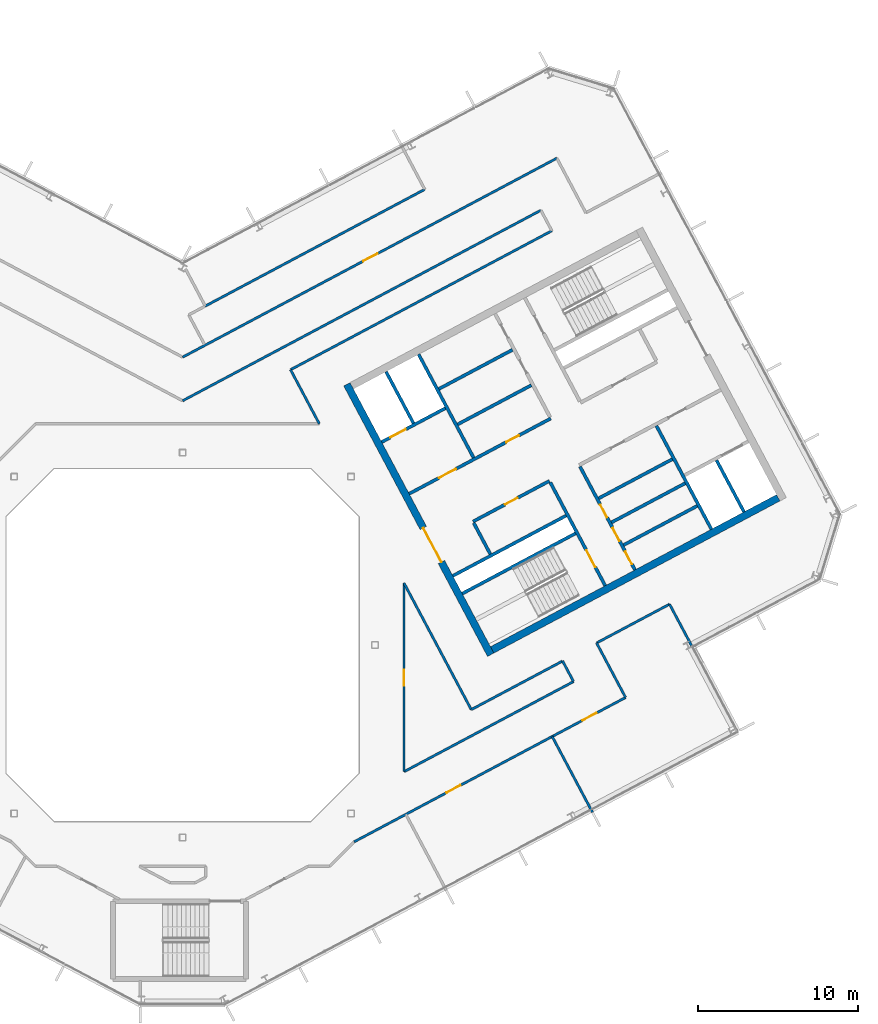
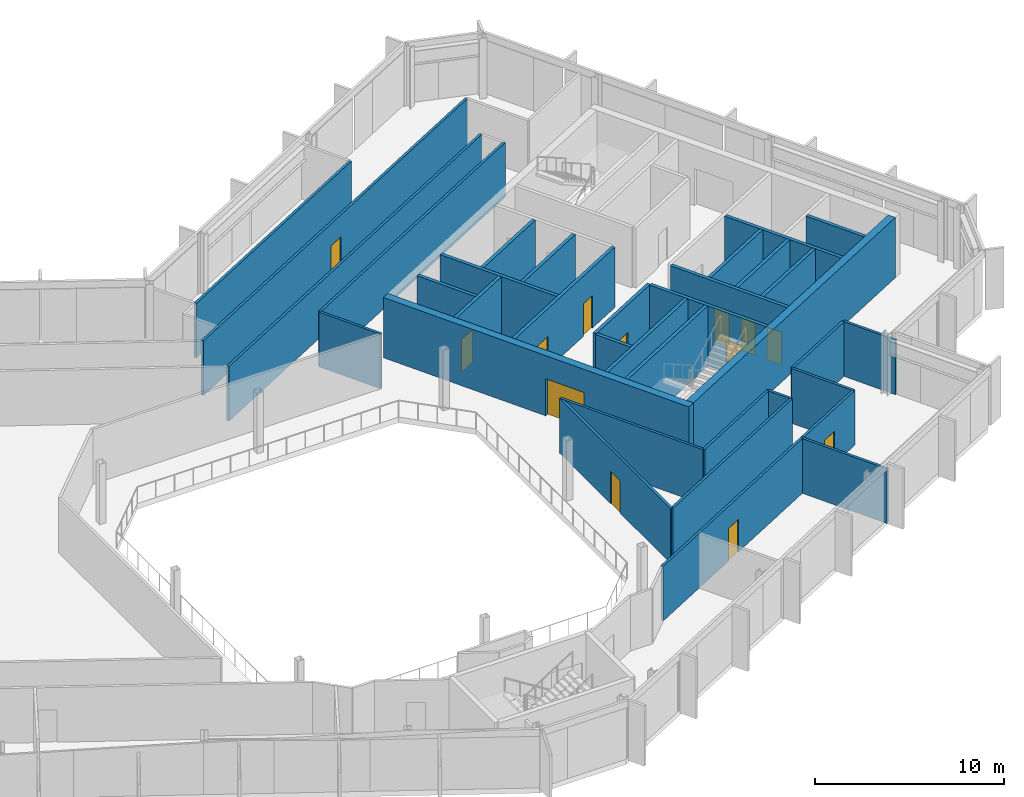
# One storey, part 16 of 26: 35 walls, 13 doors, 13 openings.
"""IFC4 building model written with IfcOpenShell, lengths in metres."""

import ifcopenshell
import ifcopenshell.guid

model = None  # the IFC model being written
_history = None  # IfcOwnerHistory: only IFC2X3 demands one
_inside = {}  # id of a spatial element -> (the spatial element, [elements in it])
_under = {}  # id of a project, library or spatial element -> (it, [spatial elements below it])
_declared = {}  # id of a project -> (the project, [libraries it declares])
_typed = {}  # id of a type object -> (the type object, [elements of that type])
_made_of = {}  # id of a material, layer set ... -> (it, [elements and type objects made of it])


def new_model(schema):
    """Start an empty IFC model of exactly this schema.

    Asked for "IFC4X3", IfcOpenShell would pick the latest addendum, in which some entities
    have other attributes; the version numbers below select the first issue.
    IFC2X3 requires an IfcOwnerHistory on every rooted entity: one is made here for all.
    """
    global model, _history
    if schema == "IFC4X3":
        model = ifcopenshell.file(schema_version=(4, 3, 0, 0))
    else:
        model = ifcopenshell.file(schema=schema)
    _inside.clear()
    _under.clear()
    _declared.clear()
    _typed.clear()
    _made_of.clear()
    _history = None
    if model.schema == "IFC2X3":
        org = make("IfcOrganization", Name="unknown")
        user = make(
            "IfcPersonAndOrganization",
            ThePerson=make("IfcPerson", FamilyName="unknown"),
            TheOrganization=org,
        )
        app = make(
            "IfcApplication",
            ApplicationDeveloper=org,
            Version="unknown",
            ApplicationFullName="unknown",
            ApplicationIdentifier="unknown",
        )
        _history = make(
            "IfcOwnerHistory",
            OwningUser=user,
            OwningApplication=app,
            ChangeAction="ADDED",
            CreationDate=0,
        )
    return model


def make(cls, **values):
    """One entity of the class cls with the attributes given. An attribute that is None is left unset."""
    return model.create_entity(
        cls, **{name: value for name, value in values.items() if value is not None}
    )


def rooted(cls, **values):
    """An entity with a GlobalId (a new one), such as an element, a storey or a relation."""
    return make(cls, GlobalId=ifcopenshell.guid.new(), OwnerHistory=_history, **values)


def si_unit(unit_type, name, prefix=None):
    """IfcSIUnit, for example si_unit("LENGTHUNIT", "METRE", prefix="MILLI")."""
    return make("IfcSIUnit", UnitType=unit_type, Prefix=prefix, Name=name)


def assignment(units):
    """IfcUnitAssignment: the units of a project."""
    return None if units is None else make("IfcUnitAssignment", Units=units)


def point(xyz):
    """IfcCartesianPoint."""
    return None if xyz is None else make("IfcCartesianPoint", Coordinates=xyz)


def direction(xyz):
    """IfcDirection."""
    return None if xyz is None else make("IfcDirection", DirectionRatios=xyz)


def frame(location, z_axis=None, x_axis=None):
    """IfcAxis2Placement3D, a coordinate frame: its origin and axes. An axis left out is left unset."""
    return make(
        "IfcAxis2Placement3D",
        Location=point(location),
        Axis=direction(z_axis),
        RefDirection=direction(x_axis),
    )


def frame_2d(location, x_axis=None):
    """IfcAxis2Placement2D, a coordinate frame in the plane: its origin and x axis."""
    return make(
        "IfcAxis2Placement2D", Location=point(location), RefDirection=direction(x_axis)
    )


def origin():
    """The frame at (0, 0, 0) with its axes left unset."""
    return frame((0.0, 0.0, 0.0))


def place(relative_to, where):
    """IfcLocalPlacement: puts the frame where relative to a parent placement (None: the world)."""
    return make(
        "IfcLocalPlacement", PlacementRelTo=relative_to, RelativePlacement=where
    )


def context(
    kind, dimensions, precision=None, world=None, true_north=None, identifier=None
):
    """IfcGeometricRepresentationContext, for example the 3D "Model" context."""
    return make(
        "IfcGeometricRepresentationContext",
        ContextIdentifier=identifier,
        ContextType=kind,
        CoordinateSpaceDimension=dimensions,
        Precision=precision,
        WorldCoordinateSystem=world,
        TrueNorth=true_north,
    )


def subcontext(parent, identifier, kind, view, scale=None):
    """IfcGeometricRepresentationSubContext, for example "Body" below "Model"."""
    return make(
        "IfcGeometricRepresentationSubContext",
        ContextIdentifier=identifier,
        ContextType=kind,
        ParentContext=parent,
        TargetScale=scale,
        TargetView=view,
    )


def project(units=None, contexts=None):
    """IfcProject with its units and contexts."""
    return rooted(
        "IfcProject",
        Name="project",
        RepresentationContexts=contexts,
        UnitsInContext=assignment(units),
    )


def spatial(cls, under=None, at=None, **own):
    """A site, building, storey or space (cls), placed at a placement, below another one or the project."""
    s = rooted(cls, ObjectPlacement=at, **own)
    if under is not None:
        _under.setdefault(under.id(), (under, []))[1].append(s)
    return s


def profile(cls, at=None, kind="AREA", **sizes):
    """A parametric profile (cls). Its sizes go by their IFC names, for example OverallWidth=200.0."""
    return make(cls, ProfileType=kind, Position=at, **sizes)


def rectangle(**sizes):
    """IfcRectangleProfileDef."""
    return profile("IfcRectangleProfileDef", **sizes)


def extrude(swept, where, along, depth):
    """IfcExtrudedAreaSolid: the profile swept, set in the frame where, extruded along a direction by depth."""
    return make(
        "IfcExtrudedAreaSolid",
        SweptArea=swept,
        Position=where,
        ExtrudedDirection=direction(along),
        Depth=depth,
    )


def shape(context_of_items, identifier, shape_type, items):
    """IfcShapeRepresentation: the items that make up one representation, for example the "Body"."""
    return make(
        "IfcShapeRepresentation",
        ContextOfItems=context_of_items,
        RepresentationIdentifier=identifier,
        RepresentationType=shape_type,
        Items=items,
    )


def material(Name=None, Category=None):
    """IfcMaterial."""
    return make("IfcMaterial", Name=Name, Category=Category)


def layer(
    of_material, thickness, ventilated=None, Name=None, Category=None, Priority=None
):
    """IfcMaterialLayer: one layer of a wall or slab, of a material (None: an air gap)."""
    return make(
        "IfcMaterialLayer",
        Material=of_material,
        LayerThickness=thickness,
        IsVentilated=ventilated,
        Name=Name,
        Category=Category,
        Priority=Priority,
    )


def layer_set(layers, Name=None):
    """IfcMaterialLayerSet."""
    return make("IfcMaterialLayerSet", MaterialLayers=layers, LayerSetName=Name)


def made_of(thing, what):
    """Note that an element or type object is made of a material, layer set ...; save() writes the relation."""
    if what is not None:
        _made_of.setdefault(what.id(), (what, []))[1].append(thing)
    return thing


def type_object(cls, material=None, **own):
    """A type object (cls), such as IfcWallType, which elements share."""
    return made_of(rooted(cls, **own), material)


def element(
    cls,
    number,
    at=None,
    inside=None,
    cuts=None,
    type_object=None,
    material=None,
    context=None,
    identifier="Body",
    shape_type=None,
    held_by="IfcProductDefinitionShape",
    body=None,
    shapes=None,
    **own,
):
    """One element of the class cls, such as IfcWall. Its Tag is "e" and its number.

    at: its placement. inside: the storey or other place that contains it. cuts: it is an
    opening in that element (IfcRelVoidsElement). A single representation is given by context,
    identifier, shape_type and body (its items); several are given by shapes. held_by: the class
    of the entity that holds the representations. save() writes the other relations.
    """
    e = rooted(cls, Tag="e%d" % number, ObjectPlacement=at, **own)
    if body is not None:
        shapes = [shape(context, identifier, shape_type, body)]
    if shapes is not None:
        e.Representation = make(held_by, Representations=shapes)
    if inside is not None:
        _inside.setdefault(inside.id(), (inside, []))[1].append(e)
    if cuts is not None:
        rooted(
            "IfcRelVoidsElement", RelatingBuildingElement=cuts, RelatedOpeningElement=e
        )
    if type_object is not None:
        _typed.setdefault(type_object.id(), (type_object, []))[1].append(e)
    return made_of(e, material)


def fill(opening, filler):
    """IfcRelFillsElement: the door or window that sits in an opening."""
    return rooted(
        "IfcRelFillsElement",
        RelatingOpeningElement=opening,
        RelatedBuildingElement=filler,
    )


def aggregate(whole, parts):
    """IfcRelAggregates: a whole, such as a stair, and the parts it consists of."""
    return rooted("IfcRelAggregates", RelatingObject=whole, RelatedObjects=parts)


def save(model, path):
    """Write the relations noted so far, then the file.

    IfcRelAggregates (storeys below a building ...), IfcRelContainedInSpatialStructure (elements
    in a storey), IfcRelDefinesByType, IfcRelAssociatesMaterial and IfcRelDeclares: one each for
    every whole, place, type object, material and project.
    """
    for whole, parts in _under.values():
        aggregate(whole, parts)
    for where, things in _inside.values():
        rooted(
            "IfcRelContainedInSpatialStructure",
            RelatedElements=things,
            RelatingStructure=where,
        )
    for kind, things in _typed.values():
        rooted("IfcRelDefinesByType", RelatedObjects=things, RelatingType=kind)
    for what, things in _made_of.values():
        rooted("IfcRelAssociatesMaterial", RelatedObjects=things, RelatingMaterial=what)
    for by, libraries in _declared.values():
        rooted("IfcRelDeclares", RelatingContext=by, RelatedDefinitions=libraries)
    model.write(path)


model = new_model("IFC4")

# Units and contexts
model_context = context("Model", 3, precision=1e-05, world=origin(), true_north=direction((0.0, 1.0)))
body_context = subcontext(model_context, "Body", "Model", "MODEL_VIEW")
ifc_project = project(units=[si_unit("LENGTHUNIT", "METRE"), si_unit("AREAUNIT", "SQUARE_METRE"), si_unit("VOLUMEUNIT", "CUBIC_METRE"), si_unit("PLANEANGLEUNIT", "RADIAN"), si_unit("MASSUNIT", "GRAM", prefix="KILO")], contexts=[model_context])

# Site, building, storey
site_placement = place(None, origin())
site = spatial("IfcSite", under=ifc_project, at=site_placement, CompositionType="ELEMENT")
building_placement = place(site_placement, origin())
building = spatial("IfcBuilding", under=site, at=building_placement, Name="Cormorant Relay Tower", CompositionType="ELEMENT")
storey_placement = place(building_placement, frame((0.0, 0.0, 312.60009765625)))
storey = spatial("IfcBuildingStorey", under=building, at=storey_placement, Name="L71", CompositionType="ELEMENT", Elevation=312.60009765625)

# Walls
ifc_material_1 = material(Name="Concrete 40 MPa", Category="concrete")
ifc_layer_1 = layer(ifc_material_1, 0.199951171875)
ifc_layer_set_1 = layer_set([ifc_layer_1], Name="Core internal wall 200")
wall_type_1 = type_object("IfcWallType", Name="Core internal wall 200", PredefinedType="SOLIDWALL", material=ifc_layer_set_1)
for number, where, z_axis, x_axis, name in (
    (1, (27.490234375, 6.23583984375, 0.0), (0.0, 0.0, 1.0), (0.882953967957, 0.469459572775, 0.0), "L71 core B shaft and room wall"),
    (2, (26.739013671875, 7.6484375, 0.0), (0.0, 0.0, 1.0), (0.882934506056, 0.469496174655, 0.0), "L71 core B shaft and room wall"),
    (3, (15.97314453125, 15.968017578125, 0.0), (0.0, 0.0, 1.0), (0.882953967957, 0.469459572775, 0.0), "L71 core B shaft and room wall"),
):
    element("IfcWall", number, at=place(storey_placement, frame(where, z_axis=z_axis, x_axis=x_axis)), inside=storey, type_object=wall_type_1, Name=name, PredefinedType="SOLIDWALL", context=body_context, shape_type="SweptSolid", body=[
        extrude(rectangle(XDim=5.199951171875, YDim=0.199951171875, at=frame_2d((2.60009765625, 0.0))), origin(), (0.0, 0.0, 1.0), 3.89990234375),
    ])
ifc_material_2 = material(Name="Concrete 50 MPa", Category="concrete")
ifc_layer_2 = layer(ifc_material_2, 0.199951171875)
ifc_layer_set_2 = layer_set([ifc_layer_2], Name="Core shaft wall 200")
wall_type_2 = type_object("IfcWallType", Name="Core shaft wall 200", PredefinedType="SHEAR", material=ifc_layer_set_2)
wall_1_placement = place(storey_placement, frame((14.39404296875, 13.825927734375, 0.0), z_axis=(0.0, 0.0, 1.0), x_axis=(-0.469494272526, 0.882935517501, 0.0)))
element("IfcWall", 4, at=wall_1_placement, inside=storey, type_object=wall_type_2, Name="L71 core B shaft wall", PredefinedType="SHEAR", context=body_context, shape_type="SweptSolid", body=[
    extrude(rectangle(XDim=3.64990234375, YDim=0.199951171875, at=frame_2d((1.824951171875, 0.0))), origin(), (0.0, 0.0, 1.0), 3.89990234375),
])
wall_2_placement = place(storey_placement, frame((19.18359375, 5.669921875, 0.0), z_axis=(0.0, 0.0, 1.0), x_axis=(-0.4694473164, 0.882960484464, 0.0)))
element("IfcWall", 5, at=wall_2_placement, inside=storey, type_object=wall_type_2, Name="L71 core B shaft wall", PredefinedType="SHEAR", context=body_context, shape_type="SweptSolid", body=[
    extrude(rectangle(XDim=2.199951171875, YDim=0.199951171875, at=frame_2d((1.10009765625, 0.0))), origin(), (0.0, 0.0, 1.0), 3.89990234375),
])
wall_3_placement = place(storey_placement, frame((18.138427734375, 11.682861328125, 0.0), z_axis=(0.0, 0.0, 1.0), x_axis=(-0.469480409012, 0.88294288918, 0.0)))
element("IfcWall", 6, at=wall_3_placement, inside=storey, type_object=wall_type_2, Name="L71 core B shaft wall", PredefinedType="SHEAR", context=body_context, shape_type="SweptSolid", body=[
    extrude(rectangle(XDim=7.300048828125, YDim=0.199951171875, at=frame_2d((3.64990234375, 0.0))), origin(), (0.0, 0.0, 1.0), 3.89990234375),
])

# Wall, opening, door
wall_4_placement = place(storey_placement, frame((26.345947265625, 3.701904296875, 0.0), z_axis=(0.0, 0.0, 1.0), x_axis=(-0.469480409012, 0.88294288918, 0.0)))
wall_4 = element("IfcWall", 7, at=wall_4_placement, inside=storey, type_object=wall_type_2, Name="L71 core B shaft wall", PredefinedType="SHEAR", context=body_context, shape_type="SweptSolid", body=[
    extrude(rectangle(XDim=7.300048828125, YDim=0.199951171875, at=frame_2d((3.64990234375, 0.0))), origin(), (0.0, 0.0, 1.0), 3.89990234375),
])
opening_1_placement = place(wall_4_placement, frame((1.300048828125, 0.0, 0.0)))
opening_1 = element("IfcOpeningElement", 8, at=opening_1_placement, cuts=wall_4, Name="Opening CDB-040", PredefinedType="OPENING", context=body_context, shape_type="SweptSolid", body=[
    extrude(rectangle(XDim=1.199951171875, YDim=2.10009765625, at=frame_2d((0.60009765625, 1.050048828125))), frame((0.0, 0.10986328125, 0.0), z_axis=(0.0, -1.0, 0.0), x_axis=(1.0, 0.0, 0.0)), (0.0, 0.0, 1.0), 0.219970703125),
])
ifc_material_3 = material(Name="Steel fire door", Category="steel")
door_type_1 = type_object("IfcDoorType", Name="Core stair door 1200x2100", OperationType="SINGLE_SWING_LEFT", PredefinedType="DOOR", material=ifc_material_3)
door_1_placement = place(opening_1_placement, origin())
door_1 = element("IfcDoor", 9, at=door_1_placement, inside=storey, type_object=door_type_1, Name="Core stair door 1200x2100", OperationType="SINGLE_SWING_RIGHT", OverallHeight=2.10009765625, OverallWidth=1.199951171875, PredefinedType="DOOR", context=body_context, shape_type="SweptSolid", body=[
    extrude(rectangle(XDim=1.199951171875, YDim=2.10009765625, at=frame_2d((0.60009765625, 1.050048828125))), frame((0.0, 0.02490234375, 0.0), z_axis=(0.0, -1.0, 0.0), x_axis=(1.0, 0.0, 0.0)), (0.0, 0.0, 1.0), 0.050048828125),
])
fill(opening_1, door_1)

# Wall, openings, doors
wall_5_placement = place(storey_placement, frame((28.199951171875, 4.687744140625, 0.0), z_axis=(0.0, 0.0, 1.0), x_axis=(-0.469454336211, 0.882956752176, 0.0)))
wall_5 = element("IfcWall", 10, at=wall_5_placement, inside=storey, type_object=wall_type_2, Name="L71 core B shaft wall", PredefinedType="SHEAR", context=body_context, shape_type="SweptSolid", body=[
    extrude(rectangle(XDim=7.300048828125, YDim=0.199951171875, at=frame_2d((3.64990234375, 0.0))), origin(), (0.0, 0.0, 1.0), 3.89990234375),
])
opening_2_placement = place(wall_5_placement, frame((0.39990234375, 0.0, 0.0)))
opening_2 = element("IfcOpeningElement", 11, at=opening_2_placement, cuts=wall_5, Name="Opening CDD-343", PredefinedType="OPENING", context=body_context, shape_type="SweptSolid", body=[
    extrude(rectangle(XDim=0.89990234375, YDim=2.10009765625, at=frame_2d((0.449951171875, 1.050048828125))), frame((0.0, 0.10986328125, 0.0), z_axis=(0.0, -1.0, 0.0), x_axis=(1.0, 0.0, 0.0)), (0.0, 0.0, 1.0), 0.219970703125),
])
opening_3_placement = place(wall_5_placement, frame((2.050048828125, 0.0, 0.0)))
opening_3 = element("IfcOpeningElement", 12, at=opening_3_placement, cuts=wall_5, Name="Opening CDD-317", PredefinedType="OPENING", context=body_context, shape_type="SweptSolid", body=[
    extrude(rectangle(XDim=0.89990234375, YDim=2.10009765625, at=frame_2d((0.449951171875, 1.050048828125))), frame((0.0, 0.10986328125, 0.0), z_axis=(0.0, -1.0, 0.0), x_axis=(1.0, 0.0, 0.0)), (0.0, 0.0, 1.0), 0.219970703125),
])
opening_4_placement = place(wall_5_placement, frame((3.699951171875, 0.0, 0.0)))
opening_4 = element("IfcOpeningElement", 13, at=opening_4_placement, cuts=wall_5, Name="Opening CDD-336", PredefinedType="OPENING", context=body_context, shape_type="SweptSolid", body=[
    extrude(rectangle(XDim=0.89990234375, YDim=2.10009765625, at=frame_2d((0.449951171875, 1.050048828125))), frame((0.0, 0.10986328125, 0.0), z_axis=(0.0, -1.0, 0.0), x_axis=(1.0, 0.0, 0.0)), (0.0, 0.0, 1.0), 0.219970703125),
])
ifc_material_4 = material(Name="Steel fire door", Category="steel")
door_type_2 = type_object("IfcDoorType", Name="Core room door 900x2100", OperationType="SINGLE_SWING_LEFT", PredefinedType="DOOR", material=ifc_material_4)
door_2_placement = place(opening_2_placement, frame((0.89990234375, 0.0, 0.0), z_axis=(0.0, 0.0, 1.0), x_axis=(-1.0, 0.0, 0.0)))
door_2 = element("IfcDoor", 14, at=door_2_placement, inside=storey, type_object=door_type_2, Name="Core room door 900x2100", OperationType="SINGLE_SWING_LEFT", OverallHeight=2.10009765625, OverallWidth=0.89990234375, PredefinedType="DOOR", context=body_context, shape_type="SweptSolid", body=[
    extrude(rectangle(XDim=0.89990234375, YDim=2.10009765625, at=frame_2d((0.449951171875, 1.050048828125))), frame((0.0, 0.02490234375, 0.0), z_axis=(0.0, -1.0, 0.0), x_axis=(1.0, 0.0, 0.0)), (0.0, 0.0, 1.0), 0.050048828125),
])
fill(opening_2, door_2)
door_3_placement = place(opening_3_placement, frame((0.89990234375, 0.0, 0.0), z_axis=(0.0, 0.0, 1.0), x_axis=(-1.0, 0.0, 0.0)))
door_3 = element("IfcDoor", 15, at=door_3_placement, inside=storey, type_object=door_type_2, Name="Core room door 900x2100", OperationType="SINGLE_SWING_LEFT", OverallHeight=2.10009765625, OverallWidth=0.89990234375, PredefinedType="DOOR", context=body_context, shape_type="SweptSolid", body=[
    extrude(rectangle(XDim=0.89990234375, YDim=2.10009765625, at=frame_2d((0.449951171875, 1.050048828125))), frame((0.0, 0.02490234375, 0.0), z_axis=(0.0, -1.0, 0.0), x_axis=(1.0, 0.0, 0.0)), (0.0, 0.0, 1.0), 0.050048828125),
])
fill(opening_3, door_3)
door_4_placement = place(opening_4_placement, frame((0.89990234375, 0.0, 0.0), z_axis=(0.0, 0.0, 1.0), x_axis=(-1.0, 0.0, 0.0)))
door_4 = element("IfcDoor", 16, at=door_4_placement, inside=storey, type_object=door_type_2, Name="Core room door 900x2100", OperationType="SINGLE_SWING_LEFT", OverallHeight=2.10009765625, OverallWidth=0.89990234375, PredefinedType="DOOR", context=body_context, shape_type="SweptSolid", body=[
    extrude(rectangle(XDim=0.89990234375, YDim=2.10009765625, at=frame_2d((0.449951171875, 1.050048828125))), frame((0.0, 0.02490234375, 0.0), z_axis=(0.0, -1.0, 0.0), x_axis=(1.0, 0.0, 0.0)), (0.0, 0.0, 1.0), 0.050048828125),
])
fill(opening_4, door_4)

# Walls
wall_6_placement = place(storey_placement, frame((32.968017578125, 7.222900390625, 0.0), z_axis=(0.0, 0.0, 1.0), x_axis=(-0.469480409012, 0.88294288918, 0.0)))
element("IfcWall", 17, at=wall_6_placement, inside=storey, type_object=wall_type_2, Name="L71 core B shaft wall", PredefinedType="SHEAR", context=body_context, shape_type="SweptSolid", body=[
    extrude(rectangle(XDim=7.300048828125, YDim=0.199951171875, at=frame_2d((3.64990234375, 0.0))), origin(), (0.0, 0.0, 1.0), 3.89990234375),
])
wall_7_placement = place(storey_placement, frame((34.998779296875, 8.302734375, 0.0), z_axis=(0.0, 0.0, 1.0), x_axis=(-0.4694665462, 0.882950260207, 0.0)))
element("IfcWall", 18, at=wall_7_placement, inside=storey, type_object=wall_type_2, Name="L71 core B shaft wall", PredefinedType="SHEAR", context=body_context, shape_type="SweptSolid", body=[
    extrude(rectangle(XDim=3.650146484375, YDim=0.199951171875, at=frame_2d((1.8251953125, 0.0))), origin(), (0.0, 0.0, 1.0), 3.89990234375),
])
for number, where, z_axis, x_axis, name in (
    (19, (17.43359375, 3.210205078125, 0.0), (0.0, 0.0, 1.0), (0.882940221191, 0.469485426614, 0.0), "L71 core B shaft wall"),
    (20, (16.8466796875, 4.31396484375, 0.0), (0.0, 0.0, 1.0), (0.882940221191, 0.469485426614, 0.0), "L71 core B shaft wall"),
):
    element("IfcWall", number, at=place(storey_placement, frame(where, z_axis=z_axis, x_axis=x_axis)), inside=storey, type_object=wall_type_2, Name=name, PredefinedType="SHEAR", context=body_context, shape_type="SweptSolid", body=[
        extrude(rectangle(XDim=8.0, YDim=0.199951171875, at=frame_2d((4.0, 0.0))), origin(), (0.0, 0.0, 1.0), 3.89990234375),
    ])
wall_8_placement = place(storey_placement, frame((25.94091796875, 9.149658203125, 0.0), z_axis=(0.0, 0.0, 1.0), x_axis=(0.882953967957, 0.469459572775, 0.0)))
element("IfcWall", 21, at=wall_8_placement, inside=storey, type_object=wall_type_2, Name="L71 core B shaft wall", PredefinedType="SHEAR", context=body_context, shape_type="SweptSolid", body=[
    extrude(rectangle(XDim=5.199951171875, YDim=0.199951171875, at=frame_2d((2.60009765625, 0.0))), origin(), (0.0, 0.0, 1.0), 3.89990234375),
])

# Wall, opening, door
wall_9_placement = place(storey_placement, frame((18.103759765625, 7.70068359375, 0.0), z_axis=(0.0, 0.0, 1.0), x_axis=(0.882952937579, 0.469461510692, 0.0)))
wall_9 = element("IfcWall", 22, at=wall_9_placement, inside=storey, type_object=wall_type_2, Name="L71 core B shaft wall", PredefinedType="SHEAR", context=body_context, shape_type="SweptSolid", body=[
    extrude(rectangle(XDim=5.400146484375, YDim=0.199951171875, at=frame_2d((2.7001953125, 0.0))), origin(), (0.0, 0.0, 1.0), 3.89990234375),
])
opening_5_placement = place(wall_9_placement, frame((2.25, 0.0, 0.0)))
opening_5 = element("IfcOpeningElement", 23, at=opening_5_placement, cuts=wall_9, Name="Opening CDD-262", PredefinedType="OPENING", context=body_context, shape_type="SweptSolid", body=[
    extrude(rectangle(XDim=0.89990234375, YDim=2.10009765625, at=frame_2d((0.449951171875, 1.050048828125))), frame((0.0, 0.10986328125, 0.0), z_axis=(0.0, -1.0, 0.0), x_axis=(1.0, 0.0, 0.0)), (0.0, 0.0, 1.0), 0.219970703125),
])
door_5_placement = place(opening_5_placement, frame((0.89990234375, 0.0, 0.0), z_axis=(0.0, 0.0, 1.0), x_axis=(-1.0, 0.0, 0.0)))
door_5 = element("IfcDoor", 24, at=door_5_placement, inside=storey, type_object=door_type_2, Name="Core room door 900x2100", OperationType="SINGLE_SWING_RIGHT", OverallHeight=2.10009765625, OverallWidth=0.89990234375, PredefinedType="DOOR", context=body_context, shape_type="SweptSolid", body=[
    extrude(rectangle(XDim=0.89990234375, YDim=2.10009765625, at=frame_2d((0.449951171875, 1.050048828125))), frame((0.0, 0.02490234375, 0.0), z_axis=(0.0, -1.0, 0.0), x_axis=(1.0, 0.0, 0.0)), (0.0, 0.0, 1.0), 0.050048828125),
])
fill(opening_5, door_5)

# Wall, openings, doors
wall_10_placement = place(storey_placement, frame((14.123779296875, 9.43505859375, 0.0), z_axis=(0.0, 0.0, 1.0), x_axis=(0.882940221191, 0.469485426614, 0.0)))
wall_10 = element("IfcWall", 25, at=wall_10_placement, inside=storey, type_object=wall_type_2, Name="L71 core B shaft wall", PredefinedType="SHEAR", context=body_context, shape_type="SweptSolid", body=[
    extrude(rectangle(XDim=10.0, YDim=0.199951171875, at=frame_2d((5.0, 0.0))), origin(), (0.0, 0.0, 1.0), 3.89990234375),
])
opening_6_placement = place(wall_10_placement, frame((2.10009765625, 0.0, 0.0)))
opening_6 = element("IfcOpeningElement", 26, at=opening_6_placement, cuts=wall_10, Name="Opening CDC-037", PredefinedType="OPENING", context=body_context, shape_type="SweptSolid", body=[
    extrude(rectangle(XDim=1.199951171875, YDim=2.10009765625, at=frame_2d((0.60009765625, 1.050048828125))), frame((0.0, 0.10986328125, 0.0), z_axis=(0.0, -1.0, 0.0), x_axis=(1.0, 0.0, 0.0)), (0.0, 0.0, 1.0), 0.219970703125),
])
opening_7_placement = place(wall_10_placement, frame((6.85009765625, 0.0, 0.0)))
opening_7 = element("IfcOpeningElement", 27, at=opening_7_placement, cuts=wall_10, Name="Opening CDD-260", PredefinedType="OPENING", context=body_context, shape_type="SweptSolid", body=[
    extrude(rectangle(XDim=0.89990234375, YDim=2.10009765625, at=frame_2d((0.449951171875, 1.050048828125))), frame((0.0, 0.10986328125, 0.0), z_axis=(0.0, -1.0, 0.0), x_axis=(1.0, 0.0, 0.0)), (0.0, 0.0, 1.0), 0.219970703125),
])
ifc_material_5 = material(Name="Steel fire door", Category="steel")
door_type_3 = type_object("IfcDoorType", Name="Core lobby door 1200x2100", OperationType="SINGLE_SWING_LEFT", PredefinedType="DOOR", material=ifc_material_5)
door_6_placement = place(opening_6_placement, origin())
door_6 = element("IfcDoor", 28, at=door_6_placement, inside=storey, type_object=door_type_3, Name="Core lobby door 1200x2100", OperationType="SINGLE_SWING_RIGHT", OverallHeight=2.10009765625, OverallWidth=1.199951171875, PredefinedType="DOOR", context=body_context, shape_type="SweptSolid", body=[
    extrude(rectangle(XDim=1.199951171875, YDim=2.10009765625, at=frame_2d((0.60009765625, 1.050048828125))), frame((0.0, 0.02490234375, 0.0), z_axis=(0.0, -1.0, 0.0), x_axis=(1.0, 0.0, 0.0)), (0.0, 0.0, 1.0), 0.050048828125),
])
fill(opening_6, door_6)
door_7_placement = place(opening_7_placement, origin())
door_7 = element("IfcDoor", 29, at=door_7_placement, inside=storey, type_object=door_type_2, Name="Core room door 900x2100", OperationType="SINGLE_SWING_LEFT", OverallHeight=2.10009765625, OverallWidth=0.89990234375, PredefinedType="DOOR", context=body_context, shape_type="SweptSolid", body=[
    extrude(rectangle(XDim=0.89990234375, YDim=2.10009765625, at=frame_2d((0.449951171875, 1.050048828125))), frame((0.0, 0.02490234375, 0.0), z_axis=(0.0, -1.0, 0.0), x_axis=(1.0, 0.0, 0.0)), (0.0, 0.0, 1.0), 0.050048828125),
])
fill(opening_7, door_7)

# Wall
wall_11_placement = place(storey_placement, frame((17.146728515625, 13.7607421875, 0.0), z_axis=(0.0, 0.0, 1.0), x_axis=(0.882964314875, 0.469440111896, 0.0)))
element("IfcWall", 30, at=wall_11_placement, inside=storey, type_object=wall_type_2, Name="L71 core B shaft wall", PredefinedType="SHEAR", context=body_context, shape_type="SweptSolid", body=[
    extrude(rectangle(XDim=5.2001953125, YDim=0.199951171875, at=frame_2d((2.60009765625, 0.0))), origin(), (0.0, 0.0, 1.0), 3.89990234375),
])

# Wall, opening, door
wall_12_placement = place(storey_placement, frame((12.41015625, 12.657958984375, 0.0), z_axis=(0.0, 0.0, 1.0), x_axis=(0.8829484765, 0.469469900894, 0.0)))
wall_12 = element("IfcWall", 31, at=wall_12_placement, inside=storey, type_object=wall_type_2, Name="L71 core B shaft wall", PredefinedType="SHEAR", context=body_context, shape_type="SweptSolid", body=[
    extrude(rectangle(XDim=4.499755859375, YDim=0.199951171875, at=frame_2d((2.25, 0.0))), origin(), (0.0, 0.0, 1.0), 3.89990234375),
])
opening_8_placement = place(wall_12_placement, frame((0.60009765625, 0.0, 0.0)))
opening_8 = element("IfcOpeningElement", 32, at=opening_8_placement, cuts=wall_12, Name="Opening LD1-064", PredefinedType="OPENING", context=body_context, shape_type="SweptSolid", body=[
    extrude(rectangle(XDim=1.10009765625, YDim=2.10009765625, at=frame_2d((0.550048828125, 1.050048828125))), frame((0.0, 0.10986328125, 0.0), z_axis=(0.0, -1.0, 0.0), x_axis=(1.0, 0.0, 0.0)), (0.0, 0.0, 1.0), 0.219970703125),
])
ifc_material_6 = material(Name="Stainless steel 316", Category="steel")
door_type_4 = type_object("IfcDoorType", Name="Lift landing door 1100x2100", OperationType="DOUBLE_DOOR_SLIDING", PredefinedType="DOOR", material=ifc_material_6)
door_8_placement = place(opening_8_placement, origin())
door_8 = element("IfcDoor", 33, at=door_8_placement, inside=storey, type_object=door_type_4, Name="FF2 landing door", OperationType="DOUBLE_DOOR_SLIDING", OverallHeight=2.10009765625, OverallWidth=1.10009765625, PredefinedType="DOOR", context=body_context, shape_type="SweptSolid", body=[
    extrude(rectangle(XDim=1.10009765625, YDim=2.10009765625, at=frame_2d((0.550048828125, 1.050048828125))), frame((0.0, 0.02490234375, 0.0), z_axis=(0.0, -1.0, 0.0), x_axis=(1.0, 0.0, 0.0)), (0.0, 0.0, 1.0), 0.050048828125),
])
fill(opening_8, door_8)

ifc_material_7 = material(Name="Concrete 50 MPa", Category="concrete")
ifc_layer_3 = layer(ifc_material_7, 0.449951171875)
ifc_layer_set_3 = layer_set([ifc_layer_3], Name="Core wall 450")
wall_type_3 = type_object("IfcWallType", Name="Core wall 450", PredefinedType="SHEAR", material=ifc_layer_set_3)
wall_13_placement = place(storey_placement, frame((19.20654296875, -0.603759765625, 0.0), z_axis=(0.0, 0.0, 1.0), x_axis=(-0.469467968382, 0.882949504028, 0.0)))
wall_13 = element("IfcWall", 34, at=wall_13_placement, inside=storey, type_object=wall_type_3, Name="L71 core B wall", PredefinedType="SHEAR", context=body_context, shape_type="SweptSolid", body=[
    extrude(rectangle(XDim=19.099853515625, YDim=0.449951171875, at=frame_2d((9.5498046875, 0.0))), origin(), (0.0, 0.0, 1.0), 3.89990234375),
])
opening_9_placement = place(wall_13_placement, frame((6.550048828125, 0.0, 0.0)))
opening_9 = element("IfcOpeningElement", 35, at=opening_9_placement, cuts=wall_13, Name="Opening CDA-055", PredefinedType="OPENING", context=body_context, shape_type="SweptSolid", body=[
    extrude(rectangle(XDim=2.39990234375, YDim=2.39990234375, at=frame_2d((1.199951171875, 1.199951171875))), frame((0.0, 0.23486328125, 0.0), z_axis=(0.0, -1.0, 0.0), x_axis=(1.0, 0.0, 0.0)), (0.0, 0.0, 1.0), 0.469970703125),
])
ifc_material_8 = material(Name="Steel fire door", Category="steel")
door_type_5 = type_object("IfcDoorType", Name="Core lobby door 2400x2400", OperationType="DOUBLE_DOOR_SINGLE_SWING", PredefinedType="DOOR", material=ifc_material_8)
door_9_placement = place(opening_9_placement, origin())
door_9 = element("IfcDoor", 36, at=door_9_placement, inside=storey, type_object=door_type_5, Name="Core lobby door 2400x2400", OperationType="DOUBLE_DOOR_SINGLE_SWING", OverallHeight=2.39990234375, OverallWidth=2.39990234375, PredefinedType="DOOR", context=body_context, shape_type="SweptSolid", body=[
    extrude(rectangle(XDim=2.39990234375, YDim=2.39990234375, at=frame_2d((1.199951171875, 1.199951171875))), frame((0.0, 0.02490234375, 0.0), z_axis=(0.0, -1.0, 0.0), x_axis=(1.0, 0.0, 0.0)), (0.0, 0.0, 1.0), 0.050048828125),
])
fill(opening_9, door_9)

# Walls
wall_14_placement = place(storey_placement, frame((19.299560546875, -0.29931640625, 0.0), z_axis=(0.0, 0.0, 1.0), x_axis=(0.88295276571, 0.46946183394, 0.0)))
element("IfcWall", 37, at=wall_14_placement, inside=storey, type_object=wall_type_3, Name="L71 core B wall", PredefinedType="SHEAR", context=body_context, shape_type="SweptSolid", body=[
    extrude(rectangle(XDim=20.199951171875, YDim=0.449951171875, at=frame_2d((10.10009765625, 0.0))), origin(), (0.0, 0.0, 1.0), 3.89990234375),
])
ifc_material_9 = material(Name="Gypsum board fire partition")
ifc_layer_4 = layer(ifc_material_9, 0.14990234375)
ifc_layer_set_4 = layer_set([ifc_layer_4], Name="Corridor partition 150 EI 60")
wall_type_4 = type_object("IfcWallType", Name="Corridor partition 150 EI 60", PredefinedType="PARTITIONING", material=ifc_layer_set_4)
wall_15_placement = place(storey_placement, frame((0.0, 15.23291015625, 0.0), z_axis=(0.0, 0.0, 1.0), x_axis=(0.882940229487, 0.469485411012, 0.0)))
element("IfcWall", 38, at=wall_15_placement, inside=storey, type_object=wall_type_4, Name="wall/L71/part/017", PredefinedType="PARTITIONING", context=body_context, shape_type="SweptSolid", body=[
    extrude(rectangle(XDim=25.29833984375, YDim=0.14990234375, at=frame_2d((12.649169921875, 0.0))), origin(), (0.0, 0.0, 1.0), 3.539794921875),
])
wall_16_placement = place(storey_placement, frame((23.01806640625, 25.830078125, 0.0), z_axis=(0.0, 0.0, 1.0), x_axis=(-0.882935416105, -0.469494463213, 0.0)))
element("IfcWall", 39, at=wall_16_placement, inside=storey, type_object=wall_type_4, Name="wall/L71/part/019", PredefinedType="PARTITIONING", context=body_context, shape_type="SweptSolid", body=[
    extrude(rectangle(XDim=18.449951171875, YDim=0.14990234375, at=frame_2d((9.22509765625, 0.0))), origin(), (0.0, 0.0, 1.0), 3.539794921875),
])
wall_17_placement = place(storey_placement, frame((6.72802734375, 17.16796875, 0.0), z_axis=(0.0, 0.0, 1.0), x_axis=(0.469325262013, -0.883025366813, 0.0)))
element("IfcWall", 40, at=wall_17_placement, inside=storey, type_object=wall_type_4, Name="wall/L71/part/020", PredefinedType="PARTITIONING", context=body_context, shape_type="SweptSolid", body=[
    extrude(rectangle(XDim=3.81396484375, YDim=0.14990234375, at=frame_2d((1.906982421875, 0.0))), origin(), (0.0, 0.0, 1.0), 3.539794921875),
])

# Wall, opening, door
wall_18_placement = place(storey_placement, frame((0.0, 17.950927734375, 0.0), z_axis=(0.0, 0.0, 1.0), x_axis=(0.882944349917, 0.469477661821, 0.0)))
wall_18 = element("IfcWall", 41, at=wall_18_placement, inside=storey, type_object=wall_type_4, Name="wall/L71/part/040", PredefinedType="PARTITIONING", context=body_context, shape_type="SweptSolid", body=[
    extrude(rectangle(XDim=26.423095703125, YDim=0.14990234375, at=frame_2d((13.21142578125, 0.0))), origin(), (0.0, 0.0, 1.0), 3.539794921875),
])
opening_10_placement = place(wall_18_placement, frame((12.75, 0.0, 0.0)))
opening_10 = element("IfcOpeningElement", 42, at=opening_10_placement, cuts=wall_18, Name="Opening DS-246", PredefinedType="OPENING", context=body_context, shape_type="SweptSolid", body=[
    extrude(rectangle(XDim=1.0, YDim=2.10009765625, at=frame_2d((0.5, 1.050048828125))), frame((0.0, 0.0849609375, 0.0), z_axis=(0.0, -1.0, 0.0), x_axis=(1.0, 0.0, 0.0)), (0.0, 0.0, 1.0), 0.169921875),
])
ifc_material_10 = material(Name="Timber door leaf", Category="wood")
door_type_6 = type_object("IfcDoorType", Name="Suite door 1000x2100", OperationType="SINGLE_SWING_LEFT", PredefinedType="DOOR", material=ifc_material_10)
door_10_placement = place(opening_10_placement, origin())
door_10 = element("IfcDoor", 43, at=door_10_placement, inside=storey, type_object=door_type_6, Name="door/L71/005", OperationType="SINGLE_SWING_LEFT", OverallHeight=2.10009765625, OverallWidth=1.0, PredefinedType="DOOR", context=body_context, shape_type="SweptSolid", body=[
    extrude(rectangle(XDim=1.0, YDim=2.10009765625, at=frame_2d((0.5, 1.050048828125))), frame((0.0, 0.02490234375, 0.0), z_axis=(0.0, -1.0, 0.0), x_axis=(1.0, 0.0, 0.0)), (0.0, 0.0, 1.0), 0.050048828125),
])
fill(opening_10, door_10)

wall_19_placement = place(storey_placement, frame((23.10791015625, -5.6640625, 0.0), z_axis=(0.0, 0.0, 1.0), x_axis=(-0.882952650817, -0.469462050027, 0.0)))
wall_19 = element("IfcWall", 44, at=wall_19_placement, inside=storey, type_object=wall_type_4, Name="wall/L71/part/059", PredefinedType="PARTITIONING", context=body_context, shape_type="SweptSolid", body=[
    extrude(rectangle(XDim=14.058349609375, YDim=0.14990234375, at=frame_2d((7.029296875, 0.0))), origin(), (0.0, 0.0, 1.0), 3.539794921875),
])
opening_11_placement = place(wall_19_placement, frame((6.550048828125, 0.0, 0.0)))
opening_11 = element("IfcOpeningElement", 45, at=opening_11_placement, cuts=wall_19, Name="Opening DS-244", PredefinedType="OPENING", context=body_context, shape_type="SweptSolid", body=[
    extrude(rectangle(XDim=1.0, YDim=2.10009765625, at=frame_2d((0.5, 1.050048828125))), frame((0.0, 0.0849609375, 0.0), z_axis=(0.0, -1.0, 0.0), x_axis=(1.0, 0.0, 0.0)), (0.0, 0.0, 1.0), 0.169921875),
])
door_11_placement = place(opening_11_placement, origin())
door_11 = element("IfcDoor", 46, at=door_11_placement, inside=storey, type_object=door_type_6, Name="door/L71/003", OperationType="SINGLE_SWING_RIGHT", OverallHeight=2.10009765625, OverallWidth=1.0, PredefinedType="DOOR", context=body_context, shape_type="SweptSolid", body=[
    extrude(rectangle(XDim=1.0, YDim=2.10009765625, at=frame_2d((0.5, 1.050048828125))), frame((0.0, 0.02490234375, 0.0), z_axis=(0.0, -1.0, 0.0), x_axis=(1.0, 0.0, 0.0)), (0.0, 0.0, 1.0), 0.050048828125),
])
fill(opening_11, door_11)

wall_20_placement = place(storey_placement, frame((27.615966796875, -3.26708984375, 0.0), z_axis=(0.0, 0.0, 1.0), x_axis=(-0.882947883351, -0.469471016449, 0.0)))
wall_20 = element("IfcWall", 47, at=wall_20_placement, inside=storey, type_object=wall_type_4, Name="wall/L71/part/061", PredefinedType="PARTITIONING", context=body_context, shape_type="SweptSolid", body=[
    extrude(rectangle(XDim=5.105712890625, YDim=0.14990234375, at=frame_2d((2.552734375, 0.0))), origin(), (0.0, 0.0, 1.0), 3.539794921875),
])
opening_12_placement = place(wall_20_placement, frame((2.050048828125, 0.0, 0.0)))
opening_12 = element("IfcOpeningElement", 48, at=opening_12_placement, cuts=wall_20, Name="Opening DS-245", PredefinedType="OPENING", context=body_context, shape_type="SweptSolid", body=[
    extrude(rectangle(XDim=1.0, YDim=2.10009765625, at=frame_2d((0.5, 1.050048828125))), frame((0.0, 0.0849609375, 0.0), z_axis=(0.0, -1.0, 0.0), x_axis=(1.0, 0.0, 0.0)), (0.0, 0.0, 1.0), 0.169921875),
])
door_12_placement = place(opening_12_placement, origin())
door_12 = element("IfcDoor", 49, at=door_12_placement, inside=storey, type_object=door_type_6, Name="door/L71/004", OperationType="SINGLE_SWING_RIGHT", OverallHeight=2.10009765625, OverallWidth=1.0, PredefinedType="DOOR", context=body_context, shape_type="SweptSolid", body=[
    extrude(rectangle(XDim=1.0, YDim=2.10009765625, at=frame_2d((0.5, 1.050048828125))), frame((0.0, 0.02490234375, 0.0), z_axis=(0.0, -1.0, 0.0), x_axis=(1.0, 0.0, 0.0)), (0.0, 0.0, 1.0), 0.050048828125),
])
fill(opening_12, door_12)

# Walls
wall_21_placement = place(storey_placement, frame((27.615966796875, -3.26806640625, 0.0), z_axis=(0.0, 0.0, 1.0), x_axis=(-0.469331692053, 0.883021949237, 0.0)))
element("IfcWall", 50, at=wall_21_placement, inside=storey, type_object=wall_type_4, Name="wall/L71/part/062", PredefinedType="PARTITIONING", context=body_context, shape_type="SweptSolid", body=[
    extrude(rectangle(XDim=3.84375, YDim=0.14990234375, at=frame_2d((1.921875, 0.0))), origin(), (0.0, 0.0, 1.0), 3.539794921875),
])
wall_22_placement = place(storey_placement, frame((25.80908203125, 0.132080078125, 0.0), z_axis=(0.0, 0.0, 1.0), x_axis=(0.882919223655, 0.46952491361, 0.0)))
element("IfcWall", 51, at=wall_22_placement, inside=storey, type_object=wall_type_4, Name="wall/L71/part/065", PredefinedType="PARTITIONING", context=body_context, shape_type="SweptSolid", body=[
    extrude(rectangle(XDim=5.14990234375, YDim=0.14990234375, at=frame_2d((2.574951171875, 0.0))), origin(), (0.0, 0.0, 1.0), 3.539794921875),
])
wall_23_placement = place(storey_placement, frame((30.35595703125, 2.550048828125, 0.0), z_axis=(0.0, 0.0, 1.0), x_axis=(0.469630247772, -0.882863200263, 0.0)))
element("IfcWall", 52, at=wall_23_placement, inside=storey, type_object=wall_type_4, Name="wall/L71/part/066", PredefinedType="PARTITIONING", context=body_context, shape_type="SweptSolid", body=[
    extrude(rectangle(XDim=3.28125, YDim=0.14990234375, at=frame_2d((1.640625, 0.0))), origin(), (0.0, 0.0, 1.0), 3.539794921875),
])

# Wall, opening, door
wall_24_placement = place(storey_placement, frame((13.800048828125, -7.89501953125, 0.0), z_axis=(0.0, 0.0, 1.0), x_axis=(0.0, 1.0, 0.0)))
wall_24 = element("IfcWall", 53, at=wall_24_placement, inside=storey, type_object=wall_type_4, Name="wall/L71/part/072", PredefinedType="PARTITIONING", context=body_context, shape_type="SweptSolid", body=[
    extrude(rectangle(XDim=11.761962890625, YDim=0.14990234375, at=frame_2d((5.880859375, 0.0))), origin(), (0.0, 0.0, 1.0), 3.539794921875),
])
opening_13_placement = place(wall_24_placement, frame((5.35009765625, 0.0, 0.0)))
opening_13 = element("IfcOpeningElement", 54, at=opening_13_placement, cuts=wall_24, Name="Opening DS-258", PredefinedType="OPENING", context=body_context, shape_type="SweptSolid", body=[
    extrude(rectangle(XDim=1.0, YDim=2.10009765625, at=frame_2d((0.5, 1.050048828125))), frame((0.0, 0.0849609375, 0.0), z_axis=(0.0, -1.0, 0.0), x_axis=(1.0, 0.0, 0.0)), (0.0, 0.0, 1.0), 0.169921875),
])
door_13_placement = place(opening_13_placement, frame((1.0, 0.0, 0.0), z_axis=(0.0, 0.0, 1.0), x_axis=(-1.0, 0.0, 0.0)))
door_13 = element("IfcDoor", 55, at=door_13_placement, inside=storey, type_object=door_type_6, Name="door/L71/017", OperationType="SINGLE_SWING_LEFT", OverallHeight=2.10009765625, OverallWidth=1.0, PredefinedType="DOOR", context=body_context, shape_type="SweptSolid", body=[
    extrude(rectangle(XDim=1.0, YDim=2.10009765625, at=frame_2d((0.5, 1.050048828125))), frame((0.0, 0.02490234375, 0.0), z_axis=(0.0, -1.0, 0.0), x_axis=(1.0, 0.0, 0.0)), (0.0, 0.0, 1.0), 0.050048828125),
])
fill(opening_13, door_13)

# Walls
wall_25_placement = place(storey_placement, frame((13.800048828125, 3.866943359375, 0.0), z_axis=(0.0, 0.0, 1.0), x_axis=(0.469466158958, -0.882950466104, 0.0)))
element("IfcWall", 56, at=wall_25_placement, inside=storey, type_object=wall_type_4, Name="wall/L71/part/073", PredefinedType="PARTITIONING", context=body_context, shape_type="SweptSolid", body=[
    extrude(rectangle(XDim=8.935791015625, YDim=0.14990234375, at=frame_2d((4.4677734375, 0.0))), origin(), (0.0, 0.0, 1.0), 3.539794921875),
])
wall_26_placement = place(storey_placement, frame((17.9951171875, -4.02294921875, 0.0), z_axis=(0.0, 0.0, 1.0), x_axis=(0.882957857588, 0.46945225713, 0.0)))
element("IfcWall", 57, at=wall_26_placement, inside=storey, type_object=wall_type_4, Name="wall/L71/part/074", PredefinedType="PARTITIONING", context=body_context, shape_type="SweptSolid", body=[
    extrude(rectangle(XDim=6.44970703125, YDim=0.14990234375, at=frame_2d((3.224853515625, 0.0))), origin(), (0.0, 0.0, 1.0), 3.539794921875),
])
wall_27_placement = place(storey_placement, frame((23.68994140625, -0.9951171875, 0.0), z_axis=(0.0, 0.0, 1.0), x_axis=(0.469836382258, -0.882753518207, 0.0)))
element("IfcWall", 58, at=wall_27_placement, inside=storey, type_object=wall_type_4, Name="wall/L71/part/075", PredefinedType="PARTITIONING", context=body_context, shape_type="SweptSolid", body=[
    extrude(rectangle(XDim=1.44970703125, YDim=0.14990234375, at=frame_2d((0.724853515625, 0.0))), origin(), (0.0, 0.0, 1.0), 3.539794921875),
])
wall_28_placement = place(storey_placement, frame((24.37109375, -2.27490234375, 0.0), z_axis=(0.0, 0.0, 1.0), x_axis=(-0.882968611929, -0.46943202953, 0.0)))
element("IfcWall", 59, at=wall_28_placement, inside=storey, type_object=wall_type_4, Name="wall/L71/part/076", PredefinedType="PARTITIONING", context=body_context, shape_type="SweptSolid", body=[
    extrude(rectangle(XDim=11.97216796875, YDim=0.14990234375, at=frame_2d((5.986083984375, 0.0))), origin(), (0.0, 0.0, 1.0), 3.539794921875),
])
ifc_material_11 = material(Name="Gypsum board partition")
ifc_layer_5 = layer(ifc_material_11, 0.14990234375)
ifc_layer_set_5 = layer_set([ifc_layer_5], Name="Tenant partition 150")
wall_type_5 = type_object("IfcWallType", Name="Tenant partition 150", PredefinedType="PARTITIONING", material=ifc_layer_set_5)
wall_29_placement = place(storey_placement, frame((1.404052734375, 21.133056640625, 0.0), z_axis=(0.0, 0.0, 1.0), x_axis=(0.882961961034, 0.469444539182, 0.0)))
element("IfcWall", 60, at=wall_29_placement, inside=storey, type_object=wall_type_5, Name="wall/L71/part/053", PredefinedType="PARTITIONING", context=body_context, shape_type="SweptSolid", body=[
    extrude(rectangle(XDim=15.505615234375, YDim=0.14990234375, at=frame_2d((7.7529296875, 0.0))), origin(), (0.0, 0.0, 1.0), 3.539794921875),
])
wall_30_placement = place(storey_placement, frame((23.0400390625, -5.700927734375, 0.0), z_axis=(0.0, 0.0, 1.0), x_axis=(0.469562262294, -0.882899361099, 0.0)))
element("IfcWall", 61, at=wall_30_placement, inside=storey, type_object=wall_type_5, Name="wall/L71/part/060", PredefinedType="PARTITIONING", context=body_context, shape_type="SweptSolid", body=[
    extrude(rectangle(XDim=5.349609375, YDim=0.14990234375, at=frame_2d((2.6748046875, 0.0))), origin(), (0.0, 0.0, 1.0), 3.539794921875),
])

save(model, "model.ifc")
